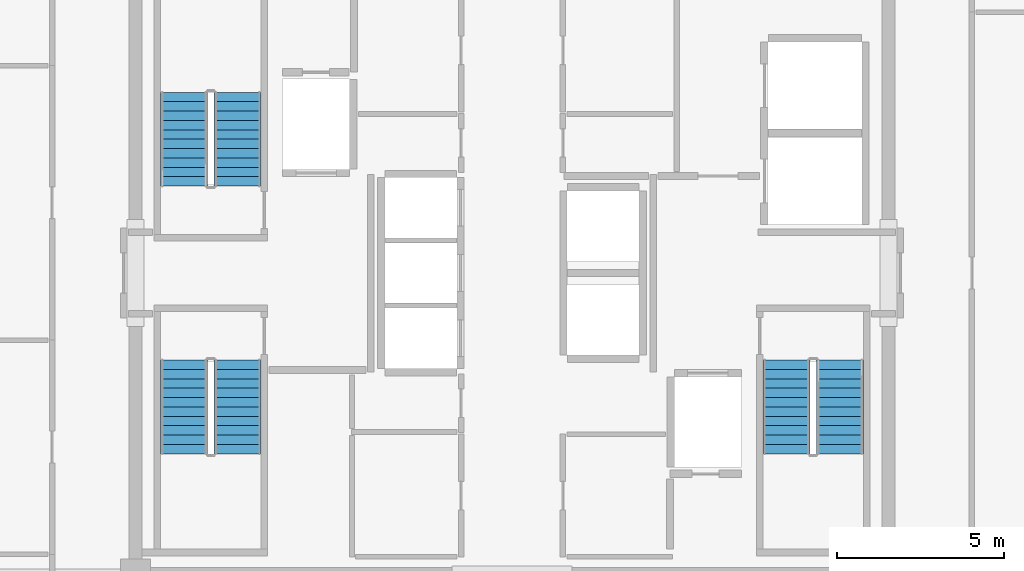
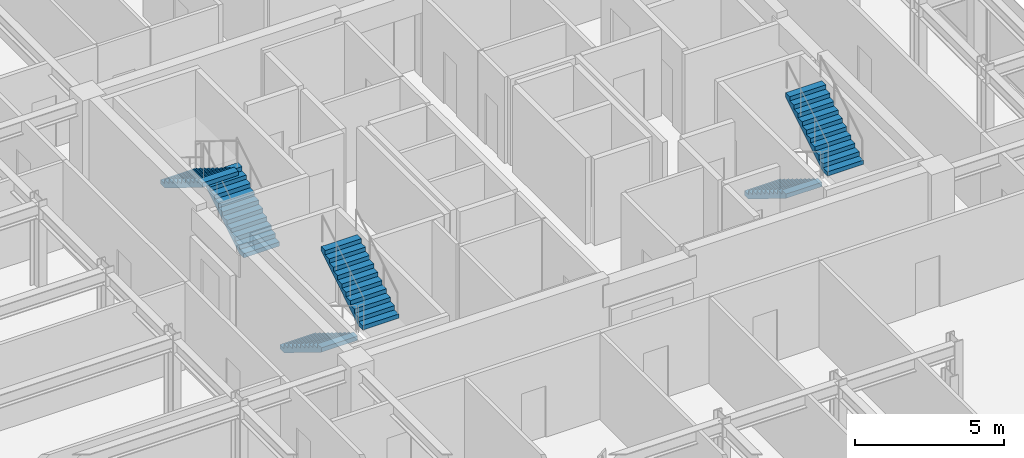
# One storey, part 17 of 18: 6 stair flights, 3 elements without a shape of their own.
"""IFC4 building model written with IfcOpenShell, lengths in metres."""

from ifc_helpers import new_model, si_unit, direction, frame, origin, place, context, subcontext, project, spatial, polyline, outline, extrude, source, transform, mapped, material, type_object, element, aggregate, save


model = new_model("IFC4")

# Units and contexts
model_context = context("Model", 3, precision=1e-05, world=origin(), true_north=direction((0.0, 1.0)))
body_context = subcontext(model_context, "Body", "Model", "MODEL_VIEW")
ifc_project = project(units=[si_unit("LENGTHUNIT", "METRE"), si_unit("AREAUNIT", "SQUARE_METRE"), si_unit("VOLUMEUNIT", "CUBIC_METRE"), si_unit("PLANEANGLEUNIT", "RADIAN"), si_unit("MASSUNIT", "GRAM", prefix="KILO")], contexts=[model_context])

# Site, building, storey
site_placement = place(None, origin())
site = spatial("IfcSite", under=ifc_project, at=site_placement, CompositionType="ELEMENT")
building_placement = place(site_placement, origin())
building = spatial("IfcBuilding", under=site, at=building_placement, Name="Nefas-Gora Pilgrimage Tower", CompositionType="ELEMENT")
storey_placement = place(building_placement, frame((0.0, 0.0, 330.0)))
storey = spatial("IfcBuildingStorey", under=building, at=storey_placement, Name="L83", CompositionType="ELEMENT", Elevation=330.0)

# Stair, stair flights
ifc_material = material(Name="Concrete C45/55", Category="concrete")
stair_type = type_object("IfcStairType", Name="STR-1400-R1727", PredefinedType="HALF_TURN_STAIR", material=ifc_material)
stair_1_placement = place(storey_placement, origin())
stair_1 = element("IfcStair", 1, at=stair_1_placement, inside=storey, type_object=stair_type, Name="L83 Pressurised Tower Exit Stair ST-01", PredefinedType="HALF_TURN_STAIR")
stair_flight_type = type_object("IfcStairFlightType", Name="STF-1400-R1727", PredefinedType="STRAIGHT", material=ifc_material)
shared_shape = source(origin(), body_context, "Body", "SweptSolid", [
    extrude(outline(polyline([(0.0, 0.0), (0.0, 0.172607421875), (0.280029296875, 0.172607421875), (0.280029296875, 0.345458984375), (0.56005859375, 0.345458984375), (0.56005859375, 0.51806640625), (0.840087890625, 0.51806640625), (0.840087890625, 0.69091796875), (1.1201171875, 0.69091796875), (1.1201171875, 0.863525390625), (1.39990234375, 0.863525390625), (1.39990234375, 1.036376953125), (1.679931640625, 1.036376953125), (1.679931640625, 1.208984375), (1.9599609375, 1.208984375), (1.9599609375, 1.3818359375), (2.239990234375, 1.3818359375), (2.239990234375, 1.554443359375), (2.52001953125, 1.554443359375), (2.52001953125, 1.727294921875), (2.800048828125, 1.727294921875), (2.800048828125, 1.89990234375), (2.800048828125, 1.551025390625), (0.285400390625, 0.0), (0.0, 0.0)])), frame((0.0, 0.699951171875, 0.0), z_axis=(0.0, -1.0, 0.0), x_axis=(1.0, 0.0, 0.0)), (0.0, 0.0, 1.0), 1.39990234375),
])
stair_flight_1_placement = place(storey_placement, frame((-8.199951171875, 2.60009765625, 0.0), z_axis=(0.0, 0.0, 1.0), x_axis=(0.0, 1.0, 0.0)))
stair_flight_1 = element("IfcStairFlight", 2, at=stair_flight_1_placement, type_object=stair_flight_type, Name="ST-01 flight 1", NumberOfRisers=11, NumberOfTreads=10, PredefinedType="STRAIGHT", RiserHeight=0.172727273, TreadLength=0.28, context=body_context, shape_type="MappedRepresentation", body=[
    mapped(shared_shape, transform((0.0, 0.0, 0.0), x_axis=(1.0, 0.0, 0.0), y_axis=(0.0, 1.0, 0.0), z_axis=(0.0, 0.0, 1.0), scale=1.0)),
])
stair_flight_2_placement = place(storey_placement, frame((-9.800048828125, 5.39990234375, 1.89990234375), z_axis=(0.0, 0.0, 1.0), x_axis=(0.0, -1.0, 0.0)))
stair_flight_2 = element("IfcStairFlight", 3, at=stair_flight_2_placement, type_object=stair_flight_type, Name="ST-01 flight 2", NumberOfRisers=11, NumberOfTreads=10, PredefinedType="STRAIGHT", RiserHeight=0.172727273, TreadLength=0.28, context=body_context, shape_type="MappedRepresentation", body=[
    mapped(shared_shape, transform((0.0, 0.0, 0.0), x_axis=(1.0, 0.0, 0.0), y_axis=(0.0, 1.0, 0.0), z_axis=(0.0, 0.0, 1.0), scale=1.0)),
])
aggregate(stair_1, [stair_flight_1, stair_flight_2])

stair_2_placement = place(storey_placement, origin())
stair_2 = element("IfcStair", 4, at=stair_2_placement, inside=storey, type_object=stair_type, Name="L83 Pressurised Tower Exit Stair ST-02", PredefinedType="HALF_TURN_STAIR")
stair_flight_3_placement = place(storey_placement, frame((8.199951171875, -2.60009765625, 0.0), z_axis=(0.0, 0.0, 1.0), x_axis=(0.0, -1.0, 0.0)))
stair_flight_3 = element("IfcStairFlight", 5, at=stair_flight_3_placement, type_object=stair_flight_type, Name="ST-02 flight 1", NumberOfRisers=11, NumberOfTreads=10, PredefinedType="STRAIGHT", RiserHeight=0.172727273, TreadLength=0.28, context=body_context, shape_type="MappedRepresentation", body=[
    mapped(shared_shape, transform((0.0, 0.0, 0.0), x_axis=(1.0, 0.0, 0.0), y_axis=(0.0, 1.0, 0.0), z_axis=(0.0, 0.0, 1.0), scale=1.0)),
])
stair_flight_4_placement = place(storey_placement, frame((9.800048828125, -5.39990234375, 1.89990234375), z_axis=(0.0, 0.0, 1.0), x_axis=(0.0, 1.0, 0.0)))
stair_flight_4 = element("IfcStairFlight", 6, at=stair_flight_4_placement, type_object=stair_flight_type, Name="ST-02 flight 2", NumberOfRisers=11, NumberOfTreads=10, PredefinedType="STRAIGHT", RiserHeight=0.172727273, TreadLength=0.28, context=body_context, shape_type="MappedRepresentation", body=[
    mapped(shared_shape, transform((0.0, 0.0, 0.0), x_axis=(1.0, 0.0, 0.0), y_axis=(0.0, 1.0, 0.0), z_axis=(0.0, 0.0, 1.0), scale=1.0)),
])
aggregate(stair_2, [stair_flight_3, stair_flight_4])

stair_3_placement = place(storey_placement, origin())
stair_3 = element("IfcStair", 7, at=stair_3_placement, inside=storey, type_object=stair_type, Name="L83 Pressurised Tower Exit Stair ST-03", PredefinedType="HALF_TURN_STAIR")
stair_flight_5_placement = place(storey_placement, frame((-9.800048828125, -2.60009765625, 0.0), z_axis=(0.0, 0.0, 1.0), x_axis=(0.0, -1.0, 0.0)))
stair_flight_5 = element("IfcStairFlight", 8, at=stair_flight_5_placement, type_object=stair_flight_type, Name="ST-03 flight 1", NumberOfRisers=11, NumberOfTreads=10, PredefinedType="STRAIGHT", RiserHeight=0.172727273, TreadLength=0.28, context=body_context, shape_type="MappedRepresentation", body=[
    mapped(shared_shape, transform((0.0, 0.0, 0.0), x_axis=(1.0, 0.0, 0.0), y_axis=(0.0, 1.0, 0.0), z_axis=(0.0, 0.0, 1.0), scale=1.0)),
])
stair_flight_6_placement = place(storey_placement, frame((-8.199951171875, -5.39990234375, 1.89990234375), z_axis=(0.0, 0.0, 1.0), x_axis=(0.0, 1.0, 0.0)))
stair_flight_6 = element("IfcStairFlight", 9, at=stair_flight_6_placement, type_object=stair_flight_type, Name="ST-03 flight 2", NumberOfRisers=11, NumberOfTreads=10, PredefinedType="STRAIGHT", RiserHeight=0.172727273, TreadLength=0.28, context=body_context, shape_type="MappedRepresentation", body=[
    mapped(shared_shape, transform((0.0, 0.0, 0.0), x_axis=(1.0, 0.0, 0.0), y_axis=(0.0, 1.0, 0.0), z_axis=(0.0, 0.0, 1.0), scale=1.0)),
])
aggregate(stair_3, [stair_flight_5, stair_flight_6])

save(model, "model.ifc")
